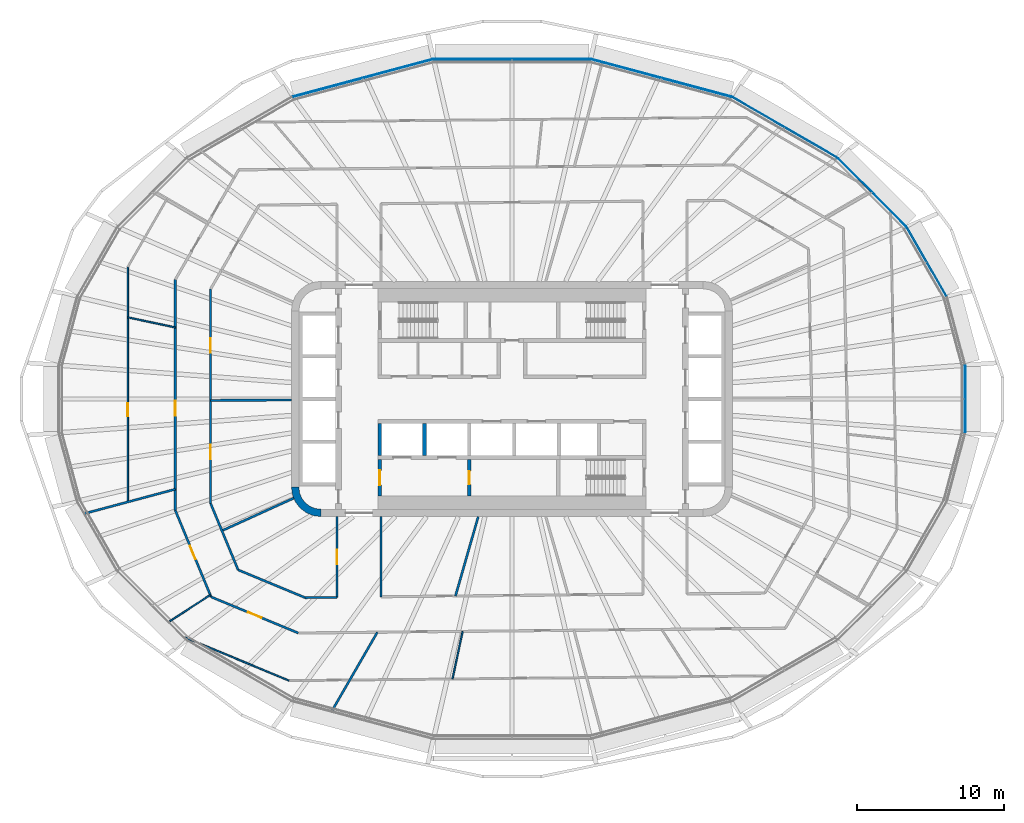
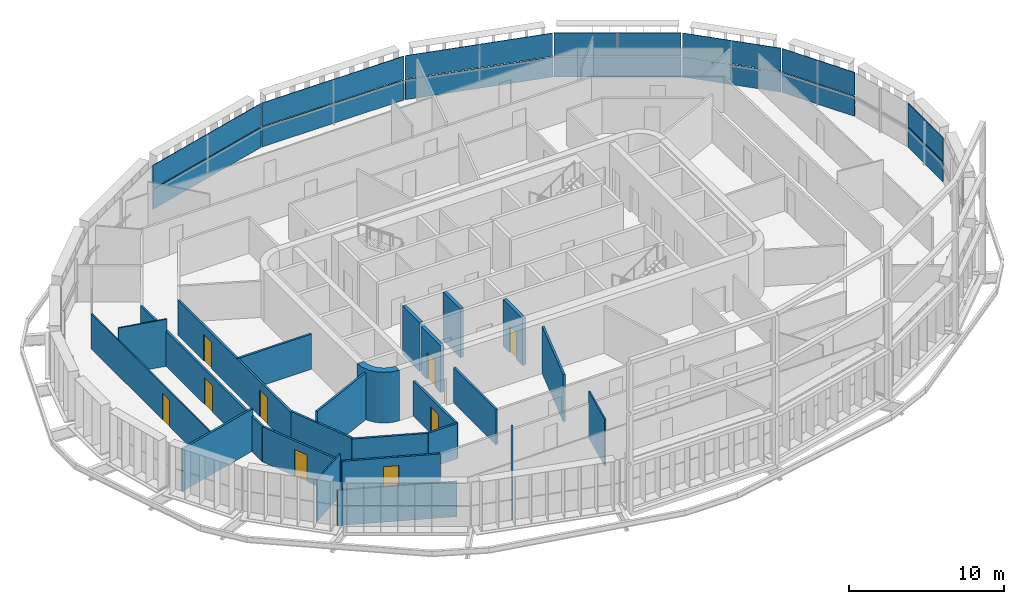
# One storey, part 11 of 23: 24 walls, 14 plates, 9 doors, 9 openings, 7 elements without a shape of their own.
"""IFC4 building model written with IfcOpenShell, lengths in metres."""

from ifc_helpers import new_model, si_unit, direction, frame, frame_2d, origin, place, context, subcontext, project, spatial, polyline, rectangle, outline, extrude, material, layer, layer_set, type_object, element, fill, aggregate, save


model = new_model("IFC4")

# Units and contexts
model_context = context("Model", 3, precision=1e-05, world=origin(), true_north=direction((0.0, 1.0)))
body_context = subcontext(model_context, "Body", "Model", "MODEL_VIEW")
ifc_project = project(units=[si_unit("LENGTHUNIT", "METRE"), si_unit("AREAUNIT", "SQUARE_METRE"), si_unit("VOLUMEUNIT", "CUBIC_METRE"), si_unit("PLANEANGLEUNIT", "RADIAN"), si_unit("MASSUNIT", "GRAM", prefix="KILO")], contexts=[model_context])

# Site, building, storey
site_placement = place(None, origin())
site = spatial("IfcSite", under=ifc_project, at=site_placement, CompositionType="ELEMENT")
building_placement = place(site_placement, origin())
building = spatial("IfcBuilding", under=site, at=building_placement, Name="Sahrelin Media Tower", CompositionType="ELEMENT")
storey_placement = place(building_placement, frame((0.0, 0.0, 185.60009765625)))
storey = spatial("IfcBuildingStorey", under=building, at=storey_placement, Name="L39", CompositionType="ELEMENT", Elevation=185.60009765625)

# Curtain wall, plate
ifc_material_1 = material(Name="Champagne anodised aluminium 6063-T6", Category="aluminium")
ifc_layer_1 = layer(ifc_material_1, 0.14990234375)
ifc_layer_set_1 = layer_set([ifc_layer_1], Name="Tower ribbon curtain wall")
curtain_wall_type = type_object("IfcCurtainWallType", Name="Tower ribbon curtain wall", PredefinedType="NOTDEFINED", material=ifc_layer_set_1)
curtain_wall_1_placement = place(storey_placement, frame((30.827392578125, 0.0, 0.0), z_axis=(0.0, 0.0, 1.0), x_axis=(1.0, 0.0, 0.0)))
curtain_wall_1 = element("IfcCurtainWall", 1, at=curtain_wall_1_placement, inside=storey, type_object=curtain_wall_type, Name="L39:CW:L39-00", PredefinedType="NOTDEFINED")
ifc_material_2 = material(Name="Clear low-iron glazing", Category="glass")
ifc_layer_2 = layer(ifc_material_2, 0.0439453125)
ifc_layer_set_2 = layer_set([ifc_layer_2], Name="Glazing panel 44 mm CW1B")
plate_type_1 = type_object("IfcPlateType", Name="Glazing panel 44 mm CW1B", PredefinedType="CURTAIN_PANEL", material=ifc_layer_set_2)
plate_1_placement = place(storey_placement, frame((30.847412109375, -2.251708984375, 1.6298828125), z_axis=(1.0, 0.0, 0.0), x_axis=(0.0, 1.0, 0.0)))
plate_1 = element("IfcPlate", 2, at=plate_1_placement, type_object=plate_type_1, Name="L39:CWP2:L39-00", PredefinedType="CURTAIN_PANEL", context=body_context, shape_type="SweptSolid", body=[
    extrude(outline(polyline([(0.0, 0.0), (4.50341796875, 0.0), (4.50341796875, 1.818603515625), (0.0, 1.818603515625), (0.0, 0.0)])), origin(), (0.0, 0.0, -1.0), 0.0439453125),
])

curtain_wall_2_placement = place(storey_placement, frame((28.211181640625, 9.324951171875, 0.0), z_axis=(0.0, 0.0, 1.0), x_axis=(1.0, 0.0, 0.0)))
curtain_wall_2 = element("IfcCurtainWall", 3, at=curtain_wall_2_placement, inside=storey, type_object=curtain_wall_type, Name="L39:CW:L39-02", PredefinedType="NOTDEFINED")
plate_2_placement = place(storey_placement, frame((29.573486328125, 7.005859375, 1.6298828125), z_axis=(0.866014014495, 0.500019726309, 0.0), x_axis=(-0.500019726309, 0.866014014495, 0.0)))
plate_2 = element("IfcPlate", 4, at=plate_2_placement, type_object=plate_type_1, Name="L39:CWP2:L39-02", PredefinedType="CURTAIN_PANEL", context=body_context, shape_type="SweptSolid", body=[
    extrude(outline(polyline([(0.0, 0.0), (5.379150390625, 0.0), (5.379150390625, 1.818603515625), (0.0, 1.818603515625), (0.0, 0.0)])), origin(), (0.0, 0.0, -1.0), 0.0439453125),
])

curtain_wall_3_placement = place(storey_placement, frame((24.48779296875, 14.05126953125, 0.0), z_axis=(0.0, 0.0, 1.0), x_axis=(1.0, 0.0, 0.0)))
curtain_wall_3 = element("IfcCurtainWall", 5, at=curtain_wall_3_placement, inside=storey, type_object=curtain_wall_type, Name="L39:CW:L39-03", PredefinedType="NOTDEFINED")
plate_3_placement = place(storey_placement, frame((26.8203125, 11.7470703125, 1.6298828125), z_axis=(0.707106781187, 0.707106781187, 0.0), x_axis=(-0.707106781187, 0.707106781187, 0.0)))
plate_3 = element("IfcPlate", 6, at=plate_3_placement, type_object=plate_type_1, Name="L39:CWP2:L39-03", PredefinedType="CURTAIN_PANEL", context=body_context, shape_type="SweptSolid", body=[
    extrude(outline(polyline([(0.0, 0.0), (6.557373046875, 0.0), (6.557373046875, 1.818603515625), (0.0, 1.818603515625), (0.0, 0.0)])), origin(), (0.0, 0.0, -1.0), 0.0439453125),
])

curtain_wall_4_placement = place(storey_placement, frame((18.54052734375, 18.47998046875, 0.0), z_axis=(0.0, 0.0, 1.0), x_axis=(1.0, 0.0, 0.0)))
curtain_wall_4 = element("IfcCurtainWall", 7, at=curtain_wall_4_placement, inside=storey, type_object=curtain_wall_type, Name="L39:CW:L39-04", PredefinedType="NOTDEFINED")
plate_4_placement = place(storey_placement, frame((22.1005859375, 16.447509765625, 1.6298828125), z_axis=(0.499998260706, 0.866026407964, 0.0), x_axis=(-0.866026407964, 0.499998260706, 0.0)))
plate_4 = element("IfcPlate", 8, at=plate_4_placement, type_object=plate_type_1, Name="L39:CWP2:L39-04", PredefinedType="CURTAIN_PANEL", context=body_context, shape_type="SweptSolid", body=[
    extrude(outline(polyline([(0.0, 0.0), (8.19873046875, 0.0), (8.19873046875, 1.818603515625), (0.0, 1.818603515625), (0.0, 0.0)])), origin(), (0.0, 0.0, -1.0), 0.0439453125),
])

curtain_wall_5_placement = place(storey_placement, frame((10.143310546875, 21.841796875, 0.0), z_axis=(0.0, 0.0, 1.0), x_axis=(1.0, 0.0, 0.0)))
curtain_wall_5 = element("IfcCurtainWall", 9, at=curtain_wall_5_placement, inside=storey, type_object=curtain_wall_type, Name="L39:CW:L39-05", PredefinedType="NOTDEFINED")
plate_5_placement = place(storey_placement, frame((14.90380859375, 20.5869140625, 1.6298828125), z_axis=(0.258813753336, 0.965927244198, 0.0), x_axis=(-0.965927244198, 0.258813753336, 0.0)))
plate_5 = element("IfcPlate", 10, at=plate_5_placement, type_object=plate_type_1, Name="L39:CWP2:L39-05", PredefinedType="CURTAIN_PANEL", context=body_context, shape_type="SweptSolid", body=[
    extrude(outline(polyline([(0.0, 0.0), (9.84619140625, 0.0), (9.84619140625, 1.818603515625), (0.0, 1.818603515625), (0.0, 0.0)])), origin(), (0.0, 0.0, -1.0), 0.0439453125),
])

curtain_wall_6_placement = place(storey_placement, frame((0.0, 23.12890625, 0.0), z_axis=(0.0, 0.0, 1.0), x_axis=(1.0, 0.0, 0.0)))
curtain_wall_6 = element("IfcCurtainWall", 11, at=curtain_wall_6_placement, inside=storey, type_object=curtain_wall_type, Name="L39:CW:L39-06", PredefinedType="NOTDEFINED")
plate_6_placement = place(storey_placement, frame((5.28955078125, 23.14892578125, 1.6298828125), z_axis=(0.0, 1.0, 0.0), x_axis=(-1.0, 0.0, 0.0)))
plate_6 = element("IfcPlate", 12, at=plate_6_placement, type_object=plate_type_1, Name="L39:CWP2:L39-06", PredefinedType="CURTAIN_PANEL", context=body_context, shape_type="SweptSolid", body=[
    extrude(outline(polyline([(0.0, 0.0), (10.5791015625, 0.0), (10.5791015625, 1.818603515625), (0.0, 1.818603515625), (0.0, 0.0)])), origin(), (0.0, 0.0, -1.0), 0.0439453125),
])

curtain_wall_7_placement = place(storey_placement, frame((-10.143310546875, 21.841796875, 0.0), z_axis=(0.0, 0.0, 1.0), x_axis=(1.0, 0.0, 0.0)))
curtain_wall_7 = element("IfcCurtainWall", 13, at=curtain_wall_7_placement, inside=storey, type_object=curtain_wall_type, Name="L39:CW:L39-07", PredefinedType="NOTDEFINED")
plate_7_placement = place(storey_placement, frame((-5.39306640625, 23.13525390625, 1.6298828125), z_axis=(-0.258813753336, 0.965927244198, 0.0), x_axis=(-0.965927244198, -0.258813753336, 0.0)))
plate_7 = element("IfcPlate", 14, at=plate_7_placement, type_object=plate_type_1, Name="L39:CWP2:L39-07", PredefinedType="CURTAIN_PANEL", context=body_context, shape_type="SweptSolid", body=[
    extrude(outline(polyline([(0.0, 0.0), (9.84619140625, 0.0), (9.84619140625, 1.818603515625), (0.0, 1.818603515625), (0.0, 0.0)])), origin(), (0.0, 0.0, -1.0), 0.0439453125),
])

# Plate
ifc_material_3 = material(Name="Insulated spandrel panel")
ifc_layer_3 = layer(ifc_material_3, 0.06005859375)
ifc_layer_set_3 = layer_set([ifc_layer_3], Name="Spandrel panel 60 mm CW1")
plate_type_2 = type_object("IfcPlateType", Name="Spandrel panel 60 mm CW1", PredefinedType="SHEET", material=ifc_layer_set_3)
plate_8_placement = place(storey_placement, frame((30.847412109375, -2.251708984375, 0.0), z_axis=(1.0, 0.0, 0.0), x_axis=(0.0, 1.0, 0.0)))
plate_8 = element("IfcPlate", 15, at=plate_8_placement, type_object=plate_type_2, Name="L39:CWP1:L39-00", PredefinedType="SHEET", context=body_context, shape_type="SweptSolid", body=[
    extrude(outline(polyline([(0.0, 0.0), (4.50341796875, 0.0), (4.50341796875, 1.56982421875), (0.0, 1.56982421875), (0.0, 0.0)])), origin(), (0.0, 0.0, -1.0), 0.06005859375),
])

aggregate(curtain_wall_1, [plate_8, plate_1])

plate_9_placement = place(storey_placement, frame((29.573486328125, 7.005859375, 0.0), z_axis=(0.866014014495, 0.500019726309, 0.0), x_axis=(-0.500019726309, 0.866014014495, 0.0)))
plate_9 = element("IfcPlate", 16, at=plate_9_placement, type_object=plate_type_2, Name="L39:CWP1:L39-02", PredefinedType="SHEET", context=body_context, shape_type="SweptSolid", body=[
    extrude(outline(polyline([(0.0, 0.0), (5.379150390625, 0.0), (5.379150390625, 1.56982421875), (0.0, 1.56982421875), (0.0, 0.0)])), origin(), (0.0, 0.0, -1.0), 0.06005859375),
])

aggregate(curtain_wall_2, [plate_9, plate_2])

plate_10_placement = place(storey_placement, frame((26.8203125, 11.7470703125, 0.0), z_axis=(0.707106781187, 0.707106781187, 0.0), x_axis=(-0.707106781187, 0.707106781187, 0.0)))
plate_10 = element("IfcPlate", 17, at=plate_10_placement, type_object=plate_type_2, Name="L39:CWP1:L39-03", PredefinedType="SHEET", context=body_context, shape_type="SweptSolid", body=[
    extrude(outline(polyline([(0.0, 0.0), (6.557373046875, 0.0), (6.557373046875, 1.56982421875), (0.0, 1.56982421875), (0.0, 0.0)])), origin(), (0.0, 0.0, -1.0), 0.06005859375),
])

aggregate(curtain_wall_3, [plate_10, plate_3])

plate_11_placement = place(storey_placement, frame((22.1005859375, 16.447509765625, 0.0), z_axis=(0.499998260706, 0.866026407964, 0.0), x_axis=(-0.866026407964, 0.499998260706, 0.0)))
plate_11 = element("IfcPlate", 18, at=plate_11_placement, type_object=plate_type_2, Name="L39:CWP1:L39-04", PredefinedType="SHEET", context=body_context, shape_type="SweptSolid", body=[
    extrude(outline(polyline([(0.0, 0.0), (8.19873046875, 0.0), (8.19873046875, 1.56982421875), (0.0, 1.56982421875), (0.0, 0.0)])), origin(), (0.0, 0.0, -1.0), 0.06005859375),
])

aggregate(curtain_wall_4, [plate_11, plate_4])

plate_12_placement = place(storey_placement, frame((14.90380859375, 20.5869140625, 0.0), z_axis=(0.258813753336, 0.965927244198, 0.0), x_axis=(-0.965927244198, 0.258813753336, 0.0)))
plate_12 = element("IfcPlate", 19, at=plate_12_placement, type_object=plate_type_2, Name="L39:CWP1:L39-05", PredefinedType="SHEET", context=body_context, shape_type="SweptSolid", body=[
    extrude(outline(polyline([(0.0, 0.0), (9.84619140625, 0.0), (9.84619140625, 1.56982421875), (0.0, 1.56982421875), (0.0, 0.0)])), origin(), (0.0, 0.0, -1.0), 0.06005859375),
])

aggregate(curtain_wall_5, [plate_12, plate_5])

plate_13_placement = place(storey_placement, frame((5.28955078125, 23.14892578125, 0.0), z_axis=(0.0, 1.0, 0.0), x_axis=(-1.0, 0.0, 0.0)))
plate_13 = element("IfcPlate", 20, at=plate_13_placement, type_object=plate_type_2, Name="L39:CWP1:L39-06", PredefinedType="SHEET", context=body_context, shape_type="SweptSolid", body=[
    extrude(outline(polyline([(0.0, 0.0), (10.5791015625, 0.0), (10.5791015625, 1.56982421875), (0.0, 1.56982421875), (0.0, 0.0)])), origin(), (0.0, 0.0, -1.0), 0.06005859375),
])

aggregate(curtain_wall_6, [plate_13, plate_6])

plate_14_placement = place(storey_placement, frame((-5.39306640625, 23.13525390625, 0.0), z_axis=(-0.258813753336, 0.965927244198, 0.0), x_axis=(-0.965927244198, -0.258813753336, 0.0)))
plate_14 = element("IfcPlate", 21, at=plate_14_placement, type_object=plate_type_2, Name="L39:CWP1:L39-07", PredefinedType="SHEET", context=body_context, shape_type="SweptSolid", body=[
    extrude(outline(polyline([(0.0, 0.0), (9.84619140625, 0.0), (9.84619140625, 1.56982421875), (0.0, 1.56982421875), (0.0, 0.0)])), origin(), (0.0, 0.0, -1.0), 0.06005859375),
])

aggregate(curtain_wall_7, [plate_14, plate_7])

# Wall
ifc_material_4 = material(Name="Concrete C60/75", Category="concrete")
ifc_layer_4 = layer(ifc_material_4, 0.5)
ifc_layer_set_4 = layer_set([ifc_layer_4], Name="Core wall 500")
wall_type_1 = type_object("IfcWallType", Name="Core wall 500", PredefinedType="SHEAR", material=ifc_layer_set_4)
wall_1_placement = place(storey_placement, origin())
element("IfcWall", 22, at=wall_1_placement, inside=storey, type_object=wall_type_1, Name="Core wall corner SW L39", PredefinedType="SHEAR", context=body_context, shape_type="SweptSolid", body=[
    extrude(outline(polyline([(-13.0, -8.0), (-13.0, -7.49560546875), (-13.38720703125, -7.44482421875), (-13.747802734375, -7.29541015625), (-14.0576171875, -7.0576171875), (-14.29541015625, -6.747802734375), (-14.44482421875, -6.38720703125), (-14.49560546875, -6.0), (-15.0, -6.0), (-14.931884765625, -6.517578125), (-14.732177734375, -7.0), (-14.414306640625, -7.414306640625), (-14.0, -7.732177734375), (-13.517578125, -7.931884765625), (-13.0, -8.0)])), origin(), (0.0, 0.0, 1.0), 4.0),
])

# Wall, opening, door
ifc_material_5 = material(Name="Fire-rated gypsum board partition")
ifc_layer_5 = layer(ifc_material_5, 0.14990234375)
ifc_layer_set_5 = layer_set([ifc_layer_5], Name="Fire-rated partition 150")
wall_type_2 = type_object("IfcWallType", Name="Fire-rated partition 150", PredefinedType="PARTITIONING", material=ifc_layer_set_5)
wall_2_placement = place(storey_placement, frame((-22.89990234375, -7.572021484375, 0.0), z_axis=(0.0, 0.0, 1.0), x_axis=(0.382367581622, -0.924010298928, 0.0)))
wall_2 = element("IfcWall", 23, at=wall_2_placement, inside=storey, type_object=wall_type_2, Name="Wall", PredefinedType="PARTITIONING", context=body_context, shape_type="SweptSolid", body=[
    extrude(rectangle(XDim=6.37353515625, YDim=0.14990234375, at=frame_2d((3.186767578125, 0.0))), origin(), (0.0, 0.0, 1.0), 2.77685546875),
])
opening_1_placement = place(wall_2_placement, frame((2.599853515625, 0.0, 0.0)))
opening_1 = element("IfcOpeningElement", 24, at=opening_1_placement, cuts=wall_2, Name="Opening L39-D49", PredefinedType="OPENING", context=body_context, shape_type="SweptSolid", body=[
    extrude(rectangle(XDim=1.0, YDim=2.10009765625, at=frame_2d((0.5, 1.050048828125))), frame((0.0, 0.074951171875, 0.0), z_axis=(0.0, -1.0, 0.0), x_axis=(1.0, 0.0, 0.0)), (0.0, 0.0, 1.0), 0.14990234375),
])
ifc_material_6 = material(Name="Steel fire door leaf", Category="steel")
door_type_1 = type_object("IfcDoorType", Name="Fire door 1000 x 2100 EI 60", OperationType="NOTDEFINED", PredefinedType="DOOR", material=ifc_material_6)
door_1_placement = place(opening_1_placement, origin())
door_1 = element("IfcDoor", 25, at=door_1_placement, inside=storey, type_object=door_type_1, Name="Fire door", OperationType="SINGLE_SWING_RIGHT", OverallHeight=2.10009765625, OverallWidth=1.0, PredefinedType="DOOR", context=body_context, shape_type="SweptSolid", body=[
    extrude(rectangle(XDim=1.0, YDim=2.10009765625, at=frame_2d((0.5, 1.050048828125))), frame((0.0, 0.02490234375, 0.0), z_axis=(0.0, -1.0, 0.0), x_axis=(1.0, 0.0, 0.0)), (0.0, 0.0, 1.0), 0.050048828125),
])
fill(opening_1, door_1)

# Wall
wall_3_placement = place(storey_placement, frame((-20.5, -7.094970703125, 0.0), z_axis=(0.0, 0.0, 1.0), x_axis=(0.382364990163, -0.924011371303, 0.0)))
element("IfcWall", 26, at=wall_3_placement, inside=storey, type_object=wall_type_2, Name="Wall", PredefinedType="PARTITIONING", context=body_context, shape_type="SweptSolid", body=[
    extrude(rectangle(XDim=4.90185546875, YDim=0.14990234375, at=frame_2d((2.450927734375, 0.0))), origin(), (0.0, 0.0, 1.0), 2.844970703125),
])

# Wall, opening, door
wall_4_placement = place(storey_placement, frame((-20.4599609375, -13.4599609375, 0.0), z_axis=(0.0, 0.0, 1.0), x_axis=(0.923801547606, -0.382871650349, 0.0)))
wall_4 = element("IfcWall", 27, at=wall_4_placement, inside=storey, type_object=wall_type_2, Name="Wall", PredefinedType="PARTITIONING", context=body_context, shape_type="SweptSolid", body=[
    extrude(rectangle(XDim=6.414794921875, YDim=0.14990234375, at=frame_2d((3.20751953125, 0.0))), origin(), (0.0, 0.0, 1.0), 2.77685546875),
])
opening_2_placement = place(wall_4_placement, frame((2.70703125, 0.0, 0.0)))
opening_2 = element("IfcOpeningElement", 28, at=opening_2_placement, cuts=wall_4, Name="Opening L39-D50", PredefinedType="OPENING", context=body_context, shape_type="SweptSolid", body=[
    extrude(rectangle(XDim=1.0, YDim=2.10009765625, at=frame_2d((0.5, 1.050048828125))), frame((0.0, 0.074951171875, 0.0), z_axis=(0.0, -1.0, 0.0), x_axis=(1.0, 0.0, 0.0)), (0.0, 0.0, 1.0), 0.14990234375),
])
door_2_placement = place(opening_2_placement, origin())
door_2 = element("IfcDoor", 29, at=door_2_placement, inside=storey, type_object=door_type_1, Name="Fire door", OperationType="SINGLE_SWING_RIGHT", OverallHeight=2.10009765625, OverallWidth=1.0, PredefinedType="DOOR", context=body_context, shape_type="SweptSolid", body=[
    extrude(rectangle(XDim=1.0, YDim=2.10009765625, at=frame_2d((0.5, 1.050048828125))), frame((0.0, 0.02490234375, 0.0), z_axis=(0.0, -1.0, 0.0), x_axis=(1.0, 0.0, 0.0)), (0.0, 0.0, 1.0), 0.050048828125),
])
fill(opening_2, door_2)

# Walls
wall_5_placement = place(storey_placement, frame((-18.623046875, -11.623046875, 0.0), z_axis=(0.0, 0.0, 1.0), x_axis=(0.923791670587, -0.38289548098, 0.0)))
element("IfcWall", 30, at=wall_5_placement, inside=storey, type_object=wall_type_2, Name="Wall", PredefinedType="PARTITIONING", context=body_context, shape_type="SweptSolid", body=[
    extrude(rectangle(XDim=4.9306640625, YDim=0.14990234375, at=frame_2d((2.46533203125, 0.0))), origin(), (0.0, 0.0, 1.0), 2.77685546875),
])
wall_6_placement = place(storey_placement, frame((-20.5, -0.093994140625, 0.0), z_axis=(0.0, 0.0, 1.0), x_axis=(0.999990148138, 0.004438876723, 0.0)))
element("IfcWall", 31, at=wall_6_placement, inside=storey, type_object=wall_type_2, Name="Wall", PredefinedType="PARTITIONING", context=body_context, shape_type="SweptSolid", body=[
    extrude(rectangle(XDim=5.5, YDim=0.14990234375, at=frame_2d((2.75, 0.0))), origin(), (0.0, 0.0, 1.0), 2.76806640625),
])
wall_7_placement = place(storey_placement, frame((-14.068115234375, -13.510986328125, 0.0), z_axis=(0.0, 0.0, 1.0), x_axis=(0.999950911515, 0.009908307647, 0.0)))
element("IfcWall", 32, at=wall_7_placement, inside=storey, type_object=wall_type_2, Name="Wall", PredefinedType="PARTITIONING", context=body_context, shape_type="SweptSolid", body=[
    extrude(rectangle(XDim=2.168212890625, YDim=0.14990234375, at=frame_2d((1.083984375, 0.0))), origin(), (0.0, 0.0, 1.0), 2.77685546875),
])
wall_8_placement = place(storey_placement, frame((-29.093994140625, -7.7958984375, 0.0), z_axis=(0.0, 0.0, 1.0), x_axis=(0.965917630497, 0.258849630277, 0.0)))
element("IfcWall", 33, at=wall_8_placement, inside=storey, type_object=wall_type_2, Name="Wall", PredefinedType="PARTITIONING", context=body_context, shape_type="SweptSolid", body=[
    extrude(rectangle(XDim=6.41259765625, YDim=0.14990234375, at=frame_2d((3.206298828125, 0.0))), origin(), (0.0, 0.0, 1.0), 3.324951171875),
])
wall_9_placement = place(storey_placement, frame((-19.72802734375, -8.9580078125, 0.0), z_axis=(0.0, 0.0, 1.0), x_axis=(0.910629511797, 0.413223779863, 0.0)))
element("IfcWall", 34, at=wall_9_placement, inside=storey, type_object=wall_type_2, Name="Wall", PredefinedType="PARTITIONING", context=body_context, shape_type="SweptSolid", body=[
    extrude(rectangle(XDim=5.3681640625, YDim=0.14990234375, at=frame_2d((2.68408203125, 0.0))), origin(), (0.0, 0.0, 1.0), 3.699951171875),
])
wall_10_placement = place(storey_placement, frame((-12.280029296875, -21.27001953125, 0.0), z_axis=(0.0, 0.0, 1.0), x_axis=(0.499966163276, 0.866044938545, 0.0)))
element("IfcWall", 35, at=wall_10_placement, inside=storey, type_object=wall_type_2, Name="Wall", PredefinedType="PARTITIONING", context=body_context, shape_type="SweptSolid", body=[
    extrude(rectangle(XDim=6.24365234375, YDim=0.14990234375, at=frame_2d((3.121826171875, 0.0))), origin(), (0.0, 0.0, 1.0), 3.077392578125),
])
wall_11_placement = place(storey_placement, frame((-3.845947265625, -13.39892578125, 0.0), z_axis=(0.0, 0.0, 1.0), x_axis=(0.275914969745, 0.961182048038, 0.0)))
element("IfcWall", 36, at=wall_11_placement, inside=storey, type_object=wall_type_2, Name="Wall", PredefinedType="PARTITIONING", context=body_context, shape_type="SweptSolid", body=[
    extrude(rectangle(XDim=5.616943359375, YDim=0.14990234375, at=frame_2d((2.80859375, 0.0))), origin(), (0.0, 0.0, 1.0), 3.699951171875),
])
wall_12_placement = place(storey_placement, frame((-8.89990234375, -13.448974609375, 0.0), z_axis=(0.0, 0.0, 1.0), x_axis=(0.0, 1.0, 0.0)))
element("IfcWall", 37, at=wall_12_placement, inside=storey, type_object=wall_type_2, Name="Wall", PredefinedType="PARTITIONING", context=body_context, shape_type="SweptSolid", body=[
    extrude(rectangle(XDim=5.448974609375, YDim=0.14990234375, at=frame_2d((2.724609375, 0.0))), origin(), (0.0, 0.0, 1.0), 2.77685546875),
])

# Wall, opening, door
wall_13_placement = place(storey_placement, frame((-11.89990234375, -13.489990234375, 0.0), z_axis=(0.0, 0.0, 1.0), x_axis=(0.0, 1.0, 0.0)))
wall_13 = element("IfcWall", 38, at=wall_13_placement, inside=storey, type_object=wall_type_2, Name="Wall", PredefinedType="PARTITIONING", context=body_context, shape_type="SweptSolid", body=[
    extrude(rectangle(XDim=5.489990234375, YDim=0.14990234375, at=frame_2d((2.7451171875, 0.0))), origin(), (0.0, 0.0, 1.0), 2.77685546875),
])
opening_3_placement = place(wall_13_placement, frame((2.2451171875, 0.0, 0.0)))
opening_3 = element("IfcOpeningElement", 39, at=opening_3_placement, cuts=wall_13, Name="Opening L39-D34", PredefinedType="OPENING", context=body_context, shape_type="SweptSolid", body=[
    extrude(rectangle(XDim=1.0, YDim=2.10009765625, at=frame_2d((0.5, 1.050048828125))), frame((0.0, 0.074951171875, 0.0), z_axis=(0.0, -1.0, 0.0), x_axis=(1.0, 0.0, 0.0)), (0.0, 0.0, 1.0), 0.14990234375),
])
door_3_placement = place(opening_3_placement, origin())
door_3 = element("IfcDoor", 40, at=door_3_placement, inside=storey, type_object=door_type_1, Name="Fire door", OperationType="SINGLE_SWING_RIGHT", OverallHeight=2.10009765625, OverallWidth=1.0, PredefinedType="DOOR", context=body_context, shape_type="SweptSolid", body=[
    extrude(rectangle(XDim=1.0, YDim=2.10009765625, at=frame_2d((0.5, 1.050048828125))), frame((0.0, 0.02490234375, 0.0), z_axis=(0.0, -1.0, 0.0), x_axis=(1.0, 0.0, 0.0)), (0.0, 0.0, 1.0), 0.050048828125),
])
fill(opening_3, door_3)

# Wall, openings, doors
wall_14_placement = place(storey_placement, frame((-20.5, -7.094970703125, 0.0), z_axis=(0.0, 0.0, 1.0), x_axis=(0.0, 1.0, 0.0)))
wall_14 = element("IfcWall", 41, at=wall_14_placement, inside=storey, type_object=wall_type_2, Name="Wall", PredefinedType="PARTITIONING", context=body_context, shape_type="SweptSolid", body=[
    extrude(rectangle(XDim=14.569091796875, YDim=0.14990234375, at=frame_2d((7.28466796875, 0.0))), origin(), (0.0, 0.0, 1.0), 2.76806640625),
])
opening_4_placement = place(wall_14_placement, frame((10.234375, 0.0, 0.0)))
opening_4 = element("IfcOpeningElement", 42, at=opening_4_placement, cuts=wall_14, Name="Opening L39-D32", PredefinedType="OPENING", context=body_context, shape_type="SweptSolid", body=[
    extrude(rectangle(XDim=1.0, YDim=2.10009765625, at=frame_2d((0.5, 1.050048828125))), frame((0.0, 0.074951171875, 0.0), z_axis=(0.0, -1.0, 0.0), x_axis=(1.0, 0.0, 0.0)), (0.0, 0.0, 1.0), 0.14990234375),
])
opening_5_placement = place(wall_14_placement, frame((3.00048828125, 0.0, 0.0)))
opening_5 = element("IfcOpeningElement", 43, at=opening_5_placement, cuts=wall_14, Name="Opening L39-D33", PredefinedType="OPENING", context=body_context, shape_type="SweptSolid", body=[
    extrude(rectangle(XDim=1.0, YDim=2.10009765625, at=frame_2d((0.5, 1.050048828125))), frame((0.0, 0.074951171875, 0.0), z_axis=(0.0, -1.0, 0.0), x_axis=(1.0, 0.0, 0.0)), (0.0, 0.0, 1.0), 0.14990234375),
])
door_4_placement = place(opening_4_placement, origin())
door_4 = element("IfcDoor", 44, at=door_4_placement, inside=storey, type_object=door_type_1, Name="Fire door", OperationType="SINGLE_SWING_LEFT", OverallHeight=2.10009765625, OverallWidth=1.0, PredefinedType="DOOR", context=body_context, shape_type="SweptSolid", body=[
    extrude(rectangle(XDim=1.0, YDim=2.10009765625, at=frame_2d((0.5, 1.050048828125))), frame((0.0, 0.02490234375, 0.0), z_axis=(0.0, -1.0, 0.0), x_axis=(1.0, 0.0, 0.0)), (0.0, 0.0, 1.0), 0.050048828125),
])
fill(opening_4, door_4)
door_5_placement = place(opening_5_placement, origin())
door_5 = element("IfcDoor", 45, at=door_5_placement, inside=storey, type_object=door_type_1, Name="Fire door", OperationType="SINGLE_SWING_RIGHT", OverallHeight=2.10009765625, OverallWidth=1.0, PredefinedType="DOOR", context=body_context, shape_type="SweptSolid", body=[
    extrude(rectangle(XDim=1.0, YDim=2.10009765625, at=frame_2d((0.5, 1.050048828125))), frame((0.0, 0.02490234375, 0.0), z_axis=(0.0, -1.0, 0.0), x_axis=(1.0, 0.0, 0.0)), (0.0, 0.0, 1.0), 0.050048828125),
])
fill(opening_5, door_5)

# Wall, opening, door
wall_15_placement = place(storey_placement, frame((-22.89990234375, -7.572021484375, 0.0), z_axis=(0.0, 0.0, 1.0), x_axis=(0.0, 1.0, 0.0)))
wall_15 = element("IfcWall", 46, at=wall_15_placement, inside=storey, type_object=wall_type_2, Name="Wall", PredefinedType="PARTITIONING", context=body_context, shape_type="SweptSolid", body=[
    extrude(rectangle(XDim=15.68896484375, YDim=0.14990234375, at=frame_2d((7.844482421875, 0.0))), origin(), (0.0, 0.0, 1.0), 2.76806640625),
])
opening_6_placement = place(wall_15_placement, frame((6.4375, 0.0, 0.0)))
opening_6 = element("IfcOpeningElement", 47, at=opening_6_placement, cuts=wall_15, Name="Opening L39-D47", PredefinedType="OPENING", context=body_context, shape_type="SweptSolid", body=[
    extrude(rectangle(XDim=1.0, YDim=2.10009765625, at=frame_2d((0.5, 1.050048828125))), frame((0.0, 0.074951171875, 0.0), z_axis=(0.0, -1.0, 0.0), x_axis=(1.0, 0.0, 0.0)), (0.0, 0.0, 1.0), 0.14990234375),
])
door_6_placement = place(opening_6_placement, origin())
door_6 = element("IfcDoor", 48, at=door_6_placement, inside=storey, type_object=door_type_1, Name="Fire door", OperationType="SINGLE_SWING_LEFT", OverallHeight=2.10009765625, OverallWidth=1.0, PredefinedType="DOOR", context=body_context, shape_type="SweptSolid", body=[
    extrude(rectangle(XDim=1.0, YDim=2.10009765625, at=frame_2d((0.5, 1.050048828125))), frame((0.0, 0.02490234375, 0.0), z_axis=(0.0, -1.0, 0.0), x_axis=(1.0, 0.0, 0.0)), (0.0, 0.0, 1.0), 0.050048828125),
])
fill(opening_6, door_6)

ifc_layer_6 = layer(ifc_material_5, 0.25)
ifc_layer_set_6 = layer_set([ifc_layer_6], Name="Firefighting lobby wall 250")
wall_type_3 = type_object("IfcWallType", Name="Firefighting lobby wall 250", PredefinedType="PARTITIONING", material=ifc_layer_set_6)
wall_16_placement = place(storey_placement, frame((-9.0, -6.60009765625, 0.0), z_axis=(0.0, 0.0, 1.0), x_axis=(0.0, 1.0, 0.0)))
wall_16 = element("IfcWall", 49, at=wall_16_placement, inside=storey, type_object=wall_type_3, Name="Core wall", PredefinedType="PARTITIONING", context=body_context, shape_type="SweptSolid", body=[
    extrude(rectangle(XDim=2.5, YDim=0.25, at=frame_2d((1.25, 0.0))), origin(), (0.0, 0.0, 1.0), 3.699951171875),
])
opening_7_placement = place(wall_16_placement, frame((0.75, 0.0, 0.0)))
opening_7 = element("IfcOpeningElement", 50, at=opening_7_placement, cuts=wall_16, Name="Opening L39-D04", PredefinedType="OPENING", context=body_context, shape_type="SweptSolid", body=[
    extrude(rectangle(XDim=1.0, YDim=2.10009765625, at=frame_2d((0.5, 1.050048828125))), frame((0.0, 0.125, 0.0), z_axis=(0.0, -1.0, 0.0), x_axis=(1.0, 0.0, 0.0)), (0.0, 0.0, 1.0), 0.25),
])
door_type_2 = type_object("IfcDoorType", Name="Firefighting lobby door 1000 x 2100 EI 120", OperationType="NOTDEFINED", PredefinedType="DOOR", material=ifc_material_6)
door_7_placement = place(opening_7_placement, origin())
door_7 = element("IfcDoor", 51, at=door_7_placement, inside=storey, type_object=door_type_2, Name="Firefighting lobby door", OperationType="SINGLE_SWING_LEFT", OverallHeight=2.10009765625, OverallWidth=1.0, PredefinedType="DOOR", context=body_context, shape_type="SweptSolid", body=[
    extrude(rectangle(XDim=1.0, YDim=2.10009765625, at=frame_2d((0.5, 1.050048828125))), frame((0.0, 0.02490234375, 0.0), z_axis=(0.0, -1.0, 0.0), x_axis=(1.0, 0.0, 0.0)), (0.0, 0.0, 1.0), 0.050048828125),
])
fill(opening_7, door_7)

wall_17_placement = place(storey_placement, frame((-2.89990234375, -6.60009765625, 0.0), z_axis=(0.0, 0.0, 1.0), x_axis=(0.0, 1.0, 0.0)))
wall_17 = element("IfcWall", 52, at=wall_17_placement, inside=storey, type_object=wall_type_3, Name="Core wall", PredefinedType="PARTITIONING", context=body_context, shape_type="SweptSolid", body=[
    extrude(rectangle(XDim=2.5, YDim=0.25, at=frame_2d((1.25, 0.0))), origin(), (0.0, 0.0, 1.0), 3.699951171875),
])
opening_8_placement = place(wall_17_placement, frame((0.800048828125, 0.0, 0.0)))
opening_8 = element("IfcOpeningElement", 53, at=opening_8_placement, cuts=wall_17, Name="Opening L39-D05", PredefinedType="OPENING", context=body_context, shape_type="SweptSolid", body=[
    extrude(rectangle(XDim=0.89990234375, YDim=2.10009765625, at=frame_2d((0.449951171875, 1.050048828125))), frame((0.0, 0.125, 0.0), z_axis=(0.0, -1.0, 0.0), x_axis=(1.0, 0.0, 0.0)), (0.0, 0.0, 1.0), 0.25),
])
door_type_3 = type_object("IfcDoorType", Name="Firefighting lobby door 900 x 2100 EI 120", OperationType="NOTDEFINED", PredefinedType="DOOR", material=ifc_material_6)
door_8_placement = place(opening_8_placement, origin())
door_8 = element("IfcDoor", 54, at=door_8_placement, inside=storey, type_object=door_type_3, Name="Riser door", OperationType="SINGLE_SWING_RIGHT", OverallHeight=2.10009765625, OverallWidth=0.89990234375, PredefinedType="DOOR", context=body_context, shape_type="SweptSolid", body=[
    extrude(rectangle(XDim=0.89990234375, YDim=2.10009765625, at=frame_2d((0.449951171875, 1.050048828125))), frame((0.0, 0.02490234375, 0.0), z_axis=(0.0, -1.0, 0.0), x_axis=(1.0, 0.0, 0.0)), (0.0, 0.0, 1.0), 0.050048828125),
])
fill(opening_8, door_8)

# Walls
ifc_layer_7 = layer(ifc_material_4, 0.25)
ifc_layer_set_7 = layer_set([ifc_layer_7], Name="Lift shaft wall 250")
wall_type_4 = type_object("IfcWallType", Name="Lift shaft wall 250", PredefinedType="SOLIDWALL", material=ifc_layer_set_7)
for number, where, z_axis, x_axis, name in (
    (55, (-9.0, -3.85009765625, 0.0), (0.0, 0.0, 1.0), (0.0, 1.0, 0.0), "Lift shaft wall"),
    (56, (-5.949951171875, -3.85009765625, 0.0), (0.0, 0.0, 1.0), (0.0, 1.0, 0.0), "Lift shaft wall"),
):
    element("IfcWall", number, at=place(storey_placement, frame(where, z_axis=z_axis, x_axis=x_axis)), inside=storey, type_object=wall_type_4, Name=name, PredefinedType="SOLIDWALL", context=body_context, shape_type="SweptSolid", body=[
        extrude(rectangle(XDim=2.2001953125, YDim=0.25, at=frame_2d((1.10009765625, 0.0))), origin(), (0.0, 0.0, 1.0), 3.849853515625),
    ])
ifc_material_7 = material(Name="Gypsum board partition")
ifc_layer_8 = layer(ifc_material_7, 0.10009765625)
ifc_layer_set_8 = layer_set([ifc_layer_8], Name="Partition 100")
wall_type_5 = type_object("IfcWallType", Name="Partition 100", PredefinedType="PARTITIONING", material=ifc_layer_set_8)
wall_18_placement = place(storey_placement, frame((-22.376953125, -16.162109375, 0.0), z_axis=(0.0, 0.0, 1.0), x_axis=(0.92383433172, -0.382792538505, 0.0)))
element("IfcWall", 57, at=wall_18_placement, inside=storey, type_object=wall_type_5, Name="Wall", PredefinedType="PARTITIONING", context=body_context, shape_type="SweptSolid", body=[
    extrude(rectangle(XDim=7.81103515625, YDim=0.10009765625, at=frame_2d((3.905517578125, 0.0))), origin(), (0.0, 0.0, 1.0), 2.77685546875),
])
wall_19_placement = place(storey_placement, frame((-26.1298828125, 5.553955078125, 0.0), z_axis=(0.0, 0.0, 1.0), x_axis=(0.978119374933, -0.208044438478, 0.0)))
element("IfcWall", 58, at=wall_19_placement, inside=storey, type_object=wall_type_5, Name="Wall", PredefinedType="PARTITIONING", context=body_context, shape_type="SweptSolid", body=[
    extrude(rectangle(XDim=3.30224609375, YDim=0.10009765625, at=frame_2d((1.651123046875, 0.0))), origin(), (0.0, 0.0, 1.0), 3.699951171875),
])
wall_20_placement = place(storey_placement, frame((-23.27099609375, -15.113037109375, 0.0), z_axis=(0.0, 0.0, 1.0), x_axis=(0.83866769183, 0.544643463819, 0.0)))
element("IfcWall", 59, at=wall_20_placement, inside=storey, type_object=wall_type_5, Name="Wall", PredefinedType="PARTITIONING", context=body_context, shape_type="SweptSolid", body=[
    extrude(rectangle(XDim=3.284912109375, YDim=0.10009765625, at=frame_2d((1.642578125, 0.0))), origin(), (0.0, 0.0, 1.0), 3.2734375),
])
wall_21_placement = place(storey_placement, frame((-4.047119140625, -19.0419921875, 0.0), z_axis=(0.0, 0.0, 1.0), x_axis=(0.207961984092, 0.978136909217, 0.0)))
element("IfcWall", 60, at=wall_21_placement, inside=storey, type_object=wall_type_5, Name="Wall", PredefinedType="PARTITIONING", context=body_context, shape_type="SweptSolid", body=[
    extrude(rectangle(XDim=3.309326171875, YDim=0.10009765625, at=frame_2d((1.65478515625, 0.0))), origin(), (0.0, 0.0, 1.0), 3.699951171875),
])

# Wall, opening, door
wall_22_placement = place(storey_placement, frame((-26.1298828125, -7.001953125, 0.0), z_axis=(0.0, 0.0, 1.0), x_axis=(0.0, 1.0, 0.0)))
wall_22 = element("IfcWall", 61, at=wall_22_placement, inside=storey, type_object=wall_type_5, Name="Wall", PredefinedType="PARTITIONING", context=body_context, shape_type="SweptSolid", body=[
    extrude(rectangle(XDim=15.98486328125, YDim=0.10009765625, at=frame_2d((7.992431640625, 0.0))), origin(), (0.0, 0.0, 1.0), 2.76806640625),
])
opening_9_placement = place(wall_22_placement, frame((5.827880859375, 0.0, 0.0)))
opening_9 = element("IfcOpeningElement", 62, at=opening_9_placement, cuts=wall_22, Name="Opening L39-D48", PredefinedType="OPENING", context=body_context, shape_type="SweptSolid", body=[
    extrude(rectangle(XDim=0.89990234375, YDim=2.10009765625, at=frame_2d((0.449951171875, 1.050048828125))), frame((0.0, 0.050048828125, 0.0), z_axis=(0.0, -1.0, 0.0), x_axis=(1.0, 0.0, 0.0)), (0.0, 0.0, 1.0), 0.10009765625),
])
ifc_material_8 = material(Name="Timber door leaf", Category="wood")
door_type_4 = type_object("IfcDoorType", Name="Single door 900 x 2100", OperationType="NOTDEFINED", PredefinedType="DOOR", material=ifc_material_8)
door_9_placement = place(opening_9_placement, origin())
door_9 = element("IfcDoor", 63, at=door_9_placement, inside=storey, type_object=door_type_4, Name="Single door", OperationType="SINGLE_SWING_LEFT", OverallHeight=2.10009765625, OverallWidth=0.89990234375, PredefinedType="DOOR", context=body_context, shape_type="SweptSolid", body=[
    extrude(rectangle(XDim=0.89990234375, YDim=2.10009765625, at=frame_2d((0.449951171875, 1.050048828125))), frame((0.0, 0.02490234375, 0.0), z_axis=(0.0, -1.0, 0.0), x_axis=(1.0, 0.0, 0.0)), (0.0, 0.0, 1.0), 0.050048828125),
])
fill(opening_9, door_9)

save(model, "model.ifc")
